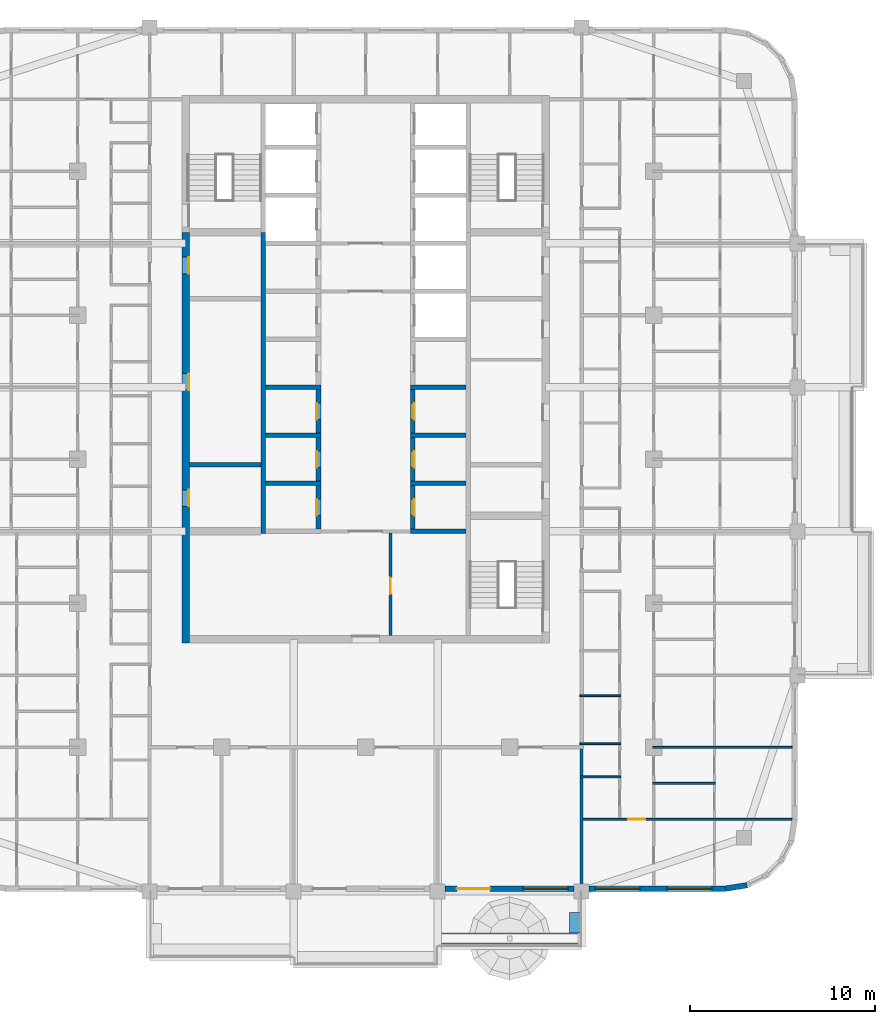
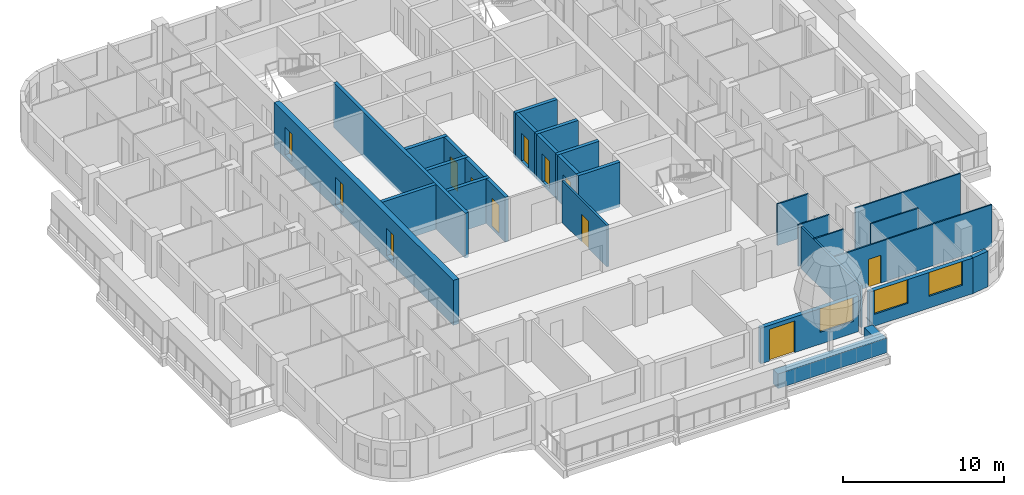
# One storey, part 5 of 17: 29 walls, 12 doors, 3 windows, 15 openings.
"""IFC4 building model written with IfcOpenShell, lengths in metres."""

from ifc_helpers import new_model, si_unit, direction, frame, frame_2d, origin, place, context, subcontext, project, spatial, rectangle, extrude, material, layer, layer_set, type_object, element, fill, save


model = new_model("IFC4")

# Units and contexts
model_context = context("Model", 3, precision=1e-05, world=origin(), true_north=direction((0.0, 1.0)))
body_context = subcontext(model_context, "Body", "Model", "MODEL_VIEW")
ifc_project = project(units=[si_unit("LENGTHUNIT", "METRE"), si_unit("AREAUNIT", "SQUARE_METRE"), si_unit("VOLUMEUNIT", "CUBIC_METRE"), si_unit("PLANEANGLEUNIT", "RADIAN"), si_unit("MASSUNIT", "GRAM", prefix="KILO")], contexts=[model_context])

# Site, building, storey
site_placement = place(None, origin())
site = spatial("IfcSite", under=ifc_project, at=site_placement, CompositionType="ELEMENT")
building_placement = place(site_placement, origin())
building = spatial("IfcBuilding", under=site, at=building_placement, Name="Ludao Terraces", CompositionType="ELEMENT")
storey_placement = place(building_placement, frame((0.0, 0.0, 210.89990234375)))
storey = spatial("IfcBuildingStorey", under=building, at=storey_placement, Name="L57", CompositionType="ELEMENT", Elevation=210.89990234375)

# Wall, openings, doors
ifc_material_1 = material(Name="Concrete C50", Category="concrete")
ifc_layer_1 = layer(ifc_material_1, 0.39990234375)
ifc_layer_set_1 = layer_set([ifc_layer_1], Name="Core wall 400 C50")
wall_type_1 = type_object("IfcWallType", Name="Core wall 400 C50", PredefinedType="SOLIDWALL", material=ifc_layer_set_1)
wall_1_placement = place(storey_placement, frame((75.25, 55.050048828125, -0.25), z_axis=(0.0, 0.0, 1.0), x_axis=(0.0, 1.0, 0.0)))
wall_1 = element("IfcWall", 1, at=wall_1_placement, inside=storey, type_object=wall_type_1, Name="Core wall L57 outer-W", PredefinedType="SOLIDWALL", context=body_context, shape_type="SweptSolid", body=[
    extrude(rectangle(XDim=22.25, YDim=0.39990234375, at=frame_2d((11.125, 0.0))), origin(), (0.0, 0.0, 1.0), 3.400146484375),
])
opening_1_placement = place(wall_1_placement, frame((7.39990234375, 0.0, 0.25)))
opening_1 = element("IfcOpeningElement", 2, at=opening_1_placement, cuts=wall_1, Name="Opening R20-055", PredefinedType="OPENING", context=body_context, shape_type="SweptSolid", body=[
    extrude(rectangle(XDim=0.89990234375, YDim=2.10009765625, at=frame_2d((0.449951171875, 1.050048828125))), frame((0.0, 0.2099609375, 0.0), z_axis=(0.0, -1.0, 0.0), x_axis=(1.0, 0.0, 0.0)), (0.0, 0.0, 1.0), 0.419921875),
])
opening_2_placement = place(wall_1_placement, frame((13.699951171875, 0.0, 0.25)))
opening_2 = element("IfcOpeningElement", 3, at=opening_2_placement, cuts=wall_1, Name="Opening R20-075", PredefinedType="OPENING", context=body_context, shape_type="SweptSolid", body=[
    extrude(rectangle(XDim=0.89990234375, YDim=2.10009765625, at=frame_2d((0.449951171875, 1.050048828125))), frame((0.0, 0.2099609375, 0.0), z_axis=(0.0, -1.0, 0.0), x_axis=(1.0, 0.0, 0.0)), (0.0, 0.0, 1.0), 0.419921875),
])
opening_3_placement = place(wall_1_placement, frame((20.0, 0.0, 0.25)))
opening_3 = element("IfcOpeningElement", 4, at=opening_3_placement, cuts=wall_1, Name="Opening R20-096", PredefinedType="OPENING", context=body_context, shape_type="SweptSolid", body=[
    extrude(rectangle(XDim=0.89990234375, YDim=2.10009765625, at=frame_2d((0.449951171875, 1.050048828125))), frame((0.0, 0.2099609375, 0.0), z_axis=(0.0, -1.0, 0.0), x_axis=(1.0, 0.0, 0.0)), (0.0, 0.0, 1.0), 0.419921875),
])
ifc_material_2 = material(Name="Steel Q235", Category="steel")
door_type_1 = type_object("IfcDoorType", Name="INT Riser door 900", OperationType="SINGLE_SWING_LEFT", PredefinedType="DOOR", material=ifc_material_2)
door_1_placement = place(opening_1_placement, origin())
door_1 = element("IfcDoor", 5, at=door_1_placement, inside=storey, type_object=door_type_1, Name="DOOR 055", OperationType="SINGLE_SWING_RIGHT", OverallHeight=2.10009765625, OverallWidth=0.89990234375, PredefinedType="DOOR", context=body_context, shape_type="SweptSolid", body=[
    extrude(rectangle(XDim=0.89990234375, YDim=2.10009765625, at=frame_2d((0.449951171875, 1.050048828125))), frame((0.0, -0.134765625, 0.0), z_axis=(0.0, -1.0, 0.0), x_axis=(1.0, 0.0, 0.0)), (0.0, 0.0, 1.0), 0.050048828125),
])
fill(opening_1, door_1)
door_2_placement = place(opening_3_placement, origin())
door_2 = element("IfcDoor", 6, at=door_2_placement, inside=storey, type_object=door_type_1, Name="DOOR 096", OperationType="SINGLE_SWING_LEFT", OverallHeight=2.10009765625, OverallWidth=0.89990234375, PredefinedType="DOOR", context=body_context, shape_type="SweptSolid", body=[
    extrude(rectangle(XDim=0.89990234375, YDim=2.10009765625, at=frame_2d((0.449951171875, 1.050048828125))), frame((0.0, -0.134765625, 0.0), z_axis=(0.0, -1.0, 0.0), x_axis=(1.0, 0.0, 0.0)), (0.0, 0.0, 1.0), 0.050048828125),
])
fill(opening_3, door_2)
ifc_material_3 = material(Name="Timber door leaf", Category="wood")
door_type_2 = type_object("IfcDoorType", Name="INT Room door 900", OperationType="SINGLE_SWING_LEFT", PredefinedType="DOOR", material=ifc_material_3)
door_3_placement = place(opening_2_placement, origin())
door_3 = element("IfcDoor", 7, at=door_3_placement, inside=storey, type_object=door_type_2, Name="DOOR 075", OperationType="SINGLE_SWING_RIGHT", OverallHeight=2.10009765625, OverallWidth=0.89990234375, PredefinedType="DOOR", context=body_context, shape_type="SweptSolid", body=[
    extrude(rectangle(XDim=0.89990234375, YDim=2.10009765625, at=frame_2d((0.449951171875, 1.050048828125))), frame((0.0, -0.134765625, 0.0), z_axis=(0.0, -1.0, 0.0), x_axis=(1.0, 0.0, 0.0)), (0.0, 0.0, 1.0), 0.050048828125),
])
fill(opening_2, door_3)

# Walls
ifc_material_4 = material(Name="Concrete C40", Category="concrete")
ifc_layer_2 = layer(ifc_material_4, 0.60009765625)
ifc_layer_set_2 = layer_set([ifc_layer_2], Name="ENV Planter trough 600")
wall_type_2 = type_object("IfcWallType", Name="ENV Planter trough 600", PredefinedType="USERDEFINED", material=ifc_layer_set_2)
wall_2_placement = place(storey_placement, frame((88.89990234375, 39.050048828125, 0.0), z_axis=(0.0, 0.0, 1.0), x_axis=(1.0, 0.0, 0.0)))
element("IfcWall", 8, at=wall_2_placement, inside=storey, type_object=wall_type_2, Name="PL-L57-S3", ObjectType="PLANTER", PredefinedType="USERDEFINED", context=body_context, shape_type="SweptSolid", body=[
    extrude(rectangle(XDim=7.800048828125, YDim=0.60009765625, at=frame_2d((3.89990234375, 0.0))), origin(), (0.0, 0.0, 1.0), 1.10009765625),
])
wall_3_placement = place(storey_placement, frame((96.35009765625, 39.35009765625, 0.0), z_axis=(0.0, 0.0, 1.0), x_axis=(0.0, 1.0, 0.0)))
element("IfcWall", 9, at=wall_3_placement, inside=storey, type_object=wall_type_2, Name="PL-L57-S3-SB", ObjectType="PLANTER", PredefinedType="USERDEFINED", context=body_context, shape_type="SweptSolid", body=[
    extrude(rectangle(XDim=1.099853515625, YDim=0.60009765625, at=frame_2d((0.5498046875, 0.0))), origin(), (0.0, 0.0, 1.0), 1.10009765625),
])

# Wall, openings, door, window
ifc_material_5 = material(Name="Granite cladding", Category="masonry")
ifc_layer_3 = layer(ifc_material_5, 0.0400390625, Category="stone")
ifc_material_6 = material(Name="Mineral wool")
ifc_layer_4 = layer(ifc_material_6, 0.06005859375)
ifc_layer_5 = layer(ifc_material_4, 0.199951171875, Category="concrete")
ifc_layer_set_3 = layer_set([ifc_layer_3, ifc_layer_4, ifc_layer_5], Name="ENV Stone-clad wall 300")
wall_type_3 = type_object("IfcWallType", Name="ENV Stone-clad wall 300", PredefinedType="SOLIDWALL", material=ifc_layer_set_3)
wall_4_placement = place(storey_placement, frame((89.300048828125, 41.75, 0.0), z_axis=(0.0, 0.0, 1.0), x_axis=(1.0, 0.0, 0.0)))
wall_4 = element("IfcWall", 10, at=wall_4_placement, inside=storey, type_object=wall_type_3, Name="EW-L57-S4", PredefinedType="SOLIDWALL", context=body_context, shape_type="SweptSolid", body=[
    extrude(rectangle(XDim=7.0, YDim=0.300048828125, at=frame_2d((3.5, 0.0))), origin(), (0.0, 0.0, 1.0), 2.7001953125),
])
opening_4_placement = place(wall_4_placement, frame((0.64990234375, 0.0, 0.0)))
opening_4 = element("IfcOpeningElement", 11, at=opening_4_placement, cuts=wall_4, Name="Opening BD", PredefinedType="OPENING", context=body_context, shape_type="SweptSolid", body=[
    extrude(rectangle(XDim=1.800048828125, YDim=2.39990234375, at=frame_2d((0.89990234375, 1.199951171875))), frame((0.0, 0.16015625, 0.0), z_axis=(0.0, -1.0, 0.0), x_axis=(1.0, 0.0, 0.0)), (0.0, 0.0, 1.0), 0.320068359375),
])
opening_5_placement = place(wall_4_placement, frame((4.25, 0.0, 0.89990234375)))
opening_5 = element("IfcOpeningElement", 12, at=opening_5_placement, cuts=wall_4, Name="Opening W1", PredefinedType="OPENING", context=body_context, shape_type="SweptSolid", body=[
    extrude(rectangle(XDim=2.39990234375, YDim=1.800048828125, at=frame_2d((1.199951171875, 0.89990234375))), frame((0.0, 0.16015625, 0.0), z_axis=(0.0, -1.0, 0.0), x_axis=(1.0, 0.0, 0.0)), (0.0, 0.0, 1.0), 0.320068359375),
])
ifc_material_7 = material(Name="Aluminium glazed door", Category="aluminium")
ifc_layer_6 = layer(ifc_material_7, 0.06005859375)
ifc_layer_set_4 = layer_set([ifc_layer_6], Name="ENV Balcony door BD 1800x2400")
door_type_3 = type_object("IfcDoorType", Name="ENV Balcony door BD 1800x2400", OperationType="DOUBLE_DOOR_SINGLE_SWING", PredefinedType="DOOR", material=ifc_layer_set_4)
door_4_placement = place(opening_4_placement, origin())
door_4 = element("IfcDoor", 13, at=door_4_placement, inside=storey, type_object=door_type_3, Name="BD-L57-S4-1", OperationType="DOUBLE_DOOR_SINGLE_SWING", OverallHeight=2.39990234375, OverallWidth=1.800048828125, PredefinedType="DOOR", context=body_context, shape_type="SweptSolid", body=[
    extrude(rectangle(XDim=1.800048828125, YDim=2.39990234375, at=frame_2d((0.89990234375, 1.199951171875))), frame((0.0, 0.02490234375, 0.0), z_axis=(0.0, -1.0, 0.0), x_axis=(1.0, 0.0, 0.0)), (0.0, 0.0, 1.0), 0.050048828125),
])
fill(opening_4, door_4)
ifc_material_8 = material(Name="Clear glass in aluminium frame", Category="aluminium")
ifc_layer_7 = layer(ifc_material_8, 0.06005859375)
ifc_layer_set_5 = layer_set([ifc_layer_7], Name="ENV Window W1 2400x1800")
window_type = type_object("IfcWindowType", Name="ENV Window W1 2400x1800", PartitioningType="DOUBLE_PANEL_VERTICAL", PredefinedType="WINDOW", material=ifc_layer_set_5)
window_1_placement = place(opening_5_placement, origin())
window_1 = element("IfcWindow", 14, at=window_1_placement, inside=storey, type_object=window_type, Name="W-L57-S4-2", OverallHeight=1.800048828125, OverallWidth=2.39990234375, PartitioningType="DOUBLE_PANEL_VERTICAL", PredefinedType="WINDOW", context=body_context, shape_type="SweptSolid", body=[
    extrude(rectangle(XDim=2.39990234375, YDim=1.800048828125, at=frame_2d((1.199951171875, 0.89990234375))), frame((0.0, 0.030029296875, 0.0), z_axis=(0.0, -1.0, 0.0), x_axis=(1.0, 0.0, 0.0)), (0.0, 0.0, 1.0), 0.06005859375),
])
fill(opening_5, window_1)

# Wall, openings, windows
wall_5_placement = place(storey_placement, frame((97.10009765625, 41.75, 0.0), z_axis=(0.0, 0.0, 1.0), x_axis=(1.0, 0.0, 0.0)))
wall_5 = element("IfcWall", 15, at=wall_5_placement, inside=storey, type_object=wall_type_3, Name="EW-L57-S5", PredefinedType="SOLIDWALL", context=body_context, shape_type="SweptSolid", body=[
    extrude(rectangle(XDim=7.39990234375, YDim=0.300048828125, at=frame_2d((3.699951171875, 0.0))), origin(), (0.0, 0.0, 1.0), 2.7001953125),
])
opening_6_placement = place(wall_5_placement, frame((0.35009765625, 0.0, 0.89990234375)))
opening_6 = element("IfcOpeningElement", 16, at=opening_6_placement, cuts=wall_5, Name="Opening W1", PredefinedType="OPENING", context=body_context, shape_type="SweptSolid", body=[
    extrude(rectangle(XDim=2.39990234375, YDim=1.800048828125, at=frame_2d((1.199951171875, 0.89990234375))), frame((0.0, 0.16015625, 0.0), z_axis=(0.0, -1.0, 0.0), x_axis=(1.0, 0.0, 0.0)), (0.0, 0.0, 1.0), 0.320068359375),
])
opening_7_placement = place(wall_5_placement, frame((4.25, 0.0, 0.89990234375)))
opening_7 = element("IfcOpeningElement", 17, at=opening_7_placement, cuts=wall_5, Name="Opening W1", PredefinedType="OPENING", context=body_context, shape_type="SweptSolid", body=[
    extrude(rectangle(XDim=2.39990234375, YDim=1.800048828125, at=frame_2d((1.199951171875, 0.89990234375))), frame((0.0, 0.16015625, 0.0), z_axis=(0.0, -1.0, 0.0), x_axis=(1.0, 0.0, 0.0)), (0.0, 0.0, 1.0), 0.320068359375),
])
window_2_placement = place(opening_6_placement, origin())
window_2 = element("IfcWindow", 18, at=window_2_placement, inside=storey, type_object=window_type, Name="W-L57-S5-1", OverallHeight=1.800048828125, OverallWidth=2.39990234375, PartitioningType="DOUBLE_PANEL_VERTICAL", PredefinedType="WINDOW", context=body_context, shape_type="SweptSolid", body=[
    extrude(rectangle(XDim=2.39990234375, YDim=1.800048828125, at=frame_2d((1.199951171875, 0.89990234375))), frame((0.0, 0.030029296875, 0.0), z_axis=(0.0, -1.0, 0.0), x_axis=(1.0, 0.0, 0.0)), (0.0, 0.0, 1.0), 0.06005859375),
])
fill(opening_6, window_2)
window_3_placement = place(opening_7_placement, origin())
window_3 = element("IfcWindow", 19, at=window_3_placement, inside=storey, type_object=window_type, Name="W-L57-S5-2", OverallHeight=1.800048828125, OverallWidth=2.39990234375, PartitioningType="DOUBLE_PANEL_VERTICAL", PredefinedType="WINDOW", context=body_context, shape_type="SweptSolid", body=[
    extrude(rectangle(XDim=2.39990234375, YDim=1.800048828125, at=frame_2d((1.199951171875, 0.89990234375))), frame((0.0, 0.030029296875, 0.0), z_axis=(0.0, -1.0, 0.0), x_axis=(1.0, 0.0, 0.0)), (0.0, 0.0, 1.0), 0.06005859375),
])
fill(opening_7, window_3)

# Wall
wall_6_placement = place(storey_placement, frame((104.5, 41.75, 0.0), z_axis=(0.0, 0.0, 1.0), x_axis=(0.987678452879, 0.156496880861, 0.0)))
element("IfcWall", 20, at=wall_6_placement, inside=storey, type_object=wall_type_3, Name="EW-L57-SE1", PredefinedType="SOLIDWALL", context=body_context, shape_type="SweptSolid", body=[
    extrude(rectangle(XDim=1.173095703125, YDim=0.300048828125, at=frame_2d((0.58642578125, 0.0))), origin(), (0.0, 0.0, 1.0), 2.7001953125),
])

# Wall, opening, door
ifc_material_9 = material(Name="Fire-rated gypsum plasterboard", Category="gypsum")
ifc_layer_8 = layer(ifc_material_9, 0.012451171875, Category="gypsum")
ifc_layer_9 = layer(ifc_material_6, 0.10009765625, Name="insulation")
ifc_layer_10 = layer(ifc_material_2, 0.02490234375, Name="stud")
ifc_layer_11 = layer(ifc_material_9, 0.012451171875, Category="gypsum")
ifc_layer_set_6 = layer_set([ifc_layer_8, ifc_layer_9, ifc_layer_10, ifc_layer_11], Name="INT Core partition 150")
wall_type_4 = type_object("IfcWallType", Name="INT Core partition 150", PredefinedType="PARTITIONING", material=ifc_layer_set_6)
wall_7_placement = place(storey_placement, frame((86.35009765625, 55.4501953125, 0.0), z_axis=(0.0, 0.0, 1.0), x_axis=(0.0, 1.0, 0.0)))
wall_7 = element("IfcWall", 21, at=wall_7_placement, inside=storey, type_object=wall_type_4, Name="PW-L57-PW085", PredefinedType="PARTITIONING", context=body_context, shape_type="SweptSolid", body=[
    extrude(rectangle(XDim=5.574951171875, YDim=0.14990234375, at=frame_2d((2.78759765625, 0.0))), origin(), (0.0, 0.0, 1.0), 3.150146484375),
])
opening_8_placement = place(wall_7_placement, frame((2.25, 0.0, 0.0)))
opening_8 = element("IfcOpeningElement", 22, at=opening_8_placement, cuts=wall_7, Name="Opening R20-039", PredefinedType="OPENING", context=body_context, shape_type="SweptSolid", body=[
    extrude(rectangle(XDim=0.89990234375, YDim=2.10009765625, at=frame_2d((0.449951171875, 1.050048828125))), frame((0.0, 0.0849609375, 0.0), z_axis=(0.0, -1.0, 0.0), x_axis=(1.0, 0.0, 0.0)), (0.0, 0.0, 1.0), 0.169921875),
])
door_5_placement = place(opening_8_placement, origin())
door_5 = element("IfcDoor", 23, at=door_5_placement, inside=storey, type_object=door_type_2, Name="DOOR 039", OperationType="SINGLE_SWING_RIGHT", OverallHeight=2.10009765625, OverallWidth=0.89990234375, PredefinedType="DOOR", context=body_context, shape_type="SweptSolid", body=[
    extrude(rectangle(XDim=0.89990234375, YDim=2.10009765625, at=frame_2d((0.449951171875, 1.050048828125))), frame((0.0, 0.02490234375, 0.0), z_axis=(0.0, -1.0, 0.0), x_axis=(1.0, 0.0, 0.0)), (0.0, 0.0, 1.0), 0.050048828125),
])
fill(opening_8, door_5)

ifc_material_10 = material(Name="Gypsum plasterboard", Category="gypsum")
ifc_layer_12 = layer(ifc_material_10, 0.012451171875, Category="gypsum")
ifc_layer_13 = layer(ifc_material_6, 0.06005859375, Name="insulation")
ifc_layer_14 = layer(ifc_material_2, 0.014892578125, Name="stud")
ifc_layer_15 = layer(ifc_material_10, 0.012451171875, Category="gypsum")
ifc_layer_set_7 = layer_set([ifc_layer_12, ifc_layer_13, ifc_layer_14, ifc_layer_15], Name="INT Partition 100")
wall_type_5 = type_object("IfcWallType", Name="INT Partition 100", PredefinedType="PARTITIONING", material=ifc_layer_set_7)
wall_8_placement = place(storey_placement, frame((96.625, 45.5, 0.0), z_axis=(0.0, 0.0, 1.0), x_axis=(1.0, 0.0, 0.0)))
wall_8 = element("IfcWall", 24, at=wall_8_placement, inside=storey, type_object=wall_type_5, Name="PW-L57-PW001", PredefinedType="PARTITIONING", context=body_context, shape_type="SweptSolid", body=[
    extrude(rectangle(XDim=11.47509765625, YDim=0.10009765625, at=frame_2d((5.737548828125, 0.0))), origin(), (0.0, 0.0, 1.0), 3.150146484375),
])
opening_9_placement = place(wall_8_placement, frame((2.610107421875, 0.0, 0.0)))
opening_9 = element("IfcOpeningElement", 25, at=opening_9_placement, cuts=wall_8, Name="Opening R20-006", PredefinedType="OPENING", context=body_context, shape_type="SweptSolid", body=[
    extrude(rectangle(XDim=0.89990234375, YDim=2.10009765625, at=frame_2d((0.449951171875, 1.050048828125))), frame((0.0, 0.06005859375, 0.0), z_axis=(0.0, -1.0, 0.0), x_axis=(1.0, 0.0, 0.0)), (0.0, 0.0, 1.0), 0.1201171875),
])
door_6_placement = place(opening_9_placement, origin())
door_6 = element("IfcDoor", 26, at=door_6_placement, inside=storey, type_object=door_type_2, Name="DOOR 006", OperationType="SINGLE_SWING_LEFT", OverallHeight=2.10009765625, OverallWidth=0.89990234375, PredefinedType="DOOR", context=body_context, shape_type="SweptSolid", body=[
    extrude(rectangle(XDim=0.89990234375, YDim=2.10009765625, at=frame_2d((0.449951171875, 1.050048828125))), frame((0.0, 0.02490234375, 0.0), z_axis=(0.0, -1.0, 0.0), x_axis=(1.0, 0.0, 0.0)), (0.0, 0.0, 1.0), 0.050048828125),
])
fill(opening_9, door_6)

# Walls
wall_9_placement = place(storey_placement, frame((100.550048828125, 47.449951171875, 0.0), z_axis=(0.0, 0.0, 1.0), x_axis=(1.0, 0.0, 0.0)))
element("IfcWall", 27, at=wall_9_placement, inside=storey, type_object=wall_type_5, Name="PW-L57-PW002", PredefinedType="PARTITIONING", context=body_context, shape_type="SweptSolid", body=[
    extrude(rectangle(XDim=3.400146484375, YDim=0.10009765625, at=frame_2d((1.7001953125, 0.0))), origin(), (0.0, 0.0, 1.0), 3.150146484375),
])
wall_10_placement = place(storey_placement, frame((96.625, 47.800048828125, 0.0), z_axis=(0.0, 0.0, 1.0), x_axis=(1.0, 0.0, 0.0)))
element("IfcWall", 28, at=wall_10_placement, inside=storey, type_object=wall_type_5, Name="PW-L57-PW003", PredefinedType="PARTITIONING", context=body_context, shape_type="SweptSolid", body=[
    extrude(rectangle(XDim=2.195068359375, YDim=0.10009765625, at=frame_2d((1.09765625, 0.0))), origin(), (0.0, 0.0, 1.0), 3.150146484375),
])
wall_11_placement = place(storey_placement, frame((100.550048828125, 49.39990234375, 0.0), z_axis=(0.0, 0.0, 1.0), x_axis=(1.0, 0.0, 0.0)))
element("IfcWall", 29, at=wall_11_placement, inside=storey, type_object=wall_type_5, Name="PW-L57-PW007", PredefinedType="PARTITIONING", context=body_context, shape_type="SweptSolid", body=[
    extrude(rectangle(XDim=7.550048828125, YDim=0.10009765625, at=frame_2d((3.77490234375, 0.0))), origin(), (0.0, 0.0, 1.0), 3.150146484375),
])
for number, where, z_axis, x_axis, name in (
    (30, (96.60009765625, 49.60009765625, 0.0), (0.0, 0.0, 1.0), (1.0, 0.0, 0.0), "PW-L57-PW008"),
    (31, (96.60009765625, 52.199951171875, 0.0), (0.0, 0.0, 1.0), (1.0, 0.0, 0.0), "PW-L57-PW011"),
):
    element("IfcWall", number, at=place(storey_placement, frame(where, z_axis=z_axis, x_axis=x_axis)), inside=storey, type_object=wall_type_5, Name=name, PredefinedType="PARTITIONING", context=body_context, shape_type="SweptSolid", body=[
        extrude(rectangle(XDim=2.219970703125, YDim=0.10009765625, at=frame_2d((1.10986328125, 0.0))), origin(), (0.0, 0.0, 1.0), 3.150146484375),
    ])
ifc_material_11 = material(Name="Autoclaved aerated concrete block B06 A3.5", Category="concrete")
ifc_layer_16 = layer(ifc_material_11, 0.14990234375)
ifc_layer_set_8 = layer_set([ifc_layer_16], Name="INT Party wall 150")
wall_type_6 = type_object("IfcWallType", Name="INT Party wall 150", PredefinedType="PARTITIONING", material=ifc_layer_set_8)
wall_12_placement = place(storey_placement, frame((96.699951171875, 41.900146484375, 0.0), z_axis=(0.0, 0.0, 1.0), x_axis=(0.0, 1.0, 0.0)))
element("IfcWall", 32, at=wall_12_placement, inside=storey, type_object=wall_type_6, Name="PW-L57-PW089", PredefinedType="PARTITIONING", context=body_context, shape_type="SweptSolid", body=[
    extrude(rectangle(XDim=7.39990234375, YDim=0.14990234375, at=frame_2d((3.699951171875, 0.0))), origin(), (0.0, 0.0, 1.0), 3.150146484375),
])
ifc_layer_17 = layer(ifc_material_1, 0.25)
ifc_layer_set_9 = layer_set([ifc_layer_17], Name="Shaft wall 250 C50")
wall_type_7 = type_object("IfcWallType", Name="Shaft wall 250 C50", PredefinedType="SOLIDWALL", material=ifc_layer_set_9)
wall_13_placement = place(storey_placement, frame((79.449951171875, 60.97509765625, -0.25), z_axis=(0.0, 0.0, 1.0), x_axis=(0.0, 1.0, 0.0)))
element("IfcWall", 33, at=wall_13_placement, inside=storey, type_object=wall_type_7, Name="Core wall L57 back-W", PredefinedType="SOLIDWALL", context=body_context, shape_type="SweptSolid", body=[
    extrude(rectangle(XDim=16.324951171875, YDim=0.25, at=frame_2d((8.16259765625, 0.0))), origin(), (0.0, 0.0, 1.0), 3.400146484375),
])

# Wall, opening, door
wall_14_placement = place(storey_placement, frame((82.449951171875, 61.22509765625, -0.25), z_axis=(0.0, 0.0, 1.0), x_axis=(0.0, 1.0, 0.0)))
wall_14 = element("IfcWall", 34, at=wall_14_placement, inside=storey, type_object=wall_type_7, Name="Core wall L57 front-W1", PredefinedType="SOLIDWALL", context=body_context, shape_type="SweptSolid", body=[
    extrude(rectangle(XDim=2.349853515625, YDim=0.25, at=frame_2d((1.1748046875, 0.0))), origin(), (0.0, 0.0, 1.0), 3.400146484375),
])
opening_10_placement = place(wall_14_placement, frame((0.72509765625, 0.0, 0.25)))
opening_10 = element("IfcOpeningElement", 35, at=opening_10_placement, cuts=wall_14, Name="Opening R20-053", PredefinedType="OPENING", context=body_context, shape_type="SweptSolid", body=[
    extrude(rectangle(XDim=0.89990234375, YDim=2.10009765625, at=frame_2d((0.449951171875, 1.050048828125))), frame((0.0, 0.135009765625, 0.0), z_axis=(0.0, -1.0, 0.0), x_axis=(1.0, 0.0, 0.0)), (0.0, 0.0, 1.0), 0.27001953125),
])
door_7_placement = place(opening_10_placement, origin())
door_7 = element("IfcDoor", 36, at=door_7_placement, inside=storey, type_object=door_type_2, Name="DOOR 053", OperationType="SINGLE_SWING_LEFT", OverallHeight=2.10009765625, OverallWidth=0.89990234375, PredefinedType="DOOR", context=body_context, shape_type="SweptSolid", body=[
    extrude(rectangle(XDim=0.89990234375, YDim=2.10009765625, at=frame_2d((0.449951171875, 1.050048828125))), frame((0.0, 0.10986328125, 0.0), z_axis=(0.0, -1.0, 0.0), x_axis=(1.0, 0.0, 0.0)), (0.0, 0.0, 1.0), 0.050048828125),
])
fill(opening_10, door_7)

# Wall
wall_15_placement = place(storey_placement, frame((79.574951171875, 63.699951171875, -0.25), z_axis=(0.0, 0.0, 1.0), x_axis=(1.0, 0.0, 0.0)))
element("IfcWall", 37, at=wall_15_placement, inside=storey, type_object=wall_type_7, Name="Core wall L57 div-W2", PredefinedType="SOLIDWALL", context=body_context, shape_type="SweptSolid", body=[
    extrude(rectangle(XDim=3.0, YDim=0.25, at=frame_2d((1.5, 0.0))), origin(), (0.0, 0.0, 1.0), 3.400146484375),
])

# Wall, opening, door
wall_16_placement = place(storey_placement, frame((82.449951171875, 63.824951171875, -0.25), z_axis=(0.0, 0.0, 1.0), x_axis=(0.0, 1.0, 0.0)))
wall_16 = element("IfcWall", 38, at=wall_16_placement, inside=storey, type_object=wall_type_7, Name="Core wall L57 front-W2", PredefinedType="SOLIDWALL", context=body_context, shape_type="SweptSolid", body=[
    extrude(rectangle(XDim=2.35009765625, YDim=0.25, at=frame_2d((1.175048828125, 0.0))), origin(), (0.0, 0.0, 1.0), 3.400146484375),
])
opening_11_placement = place(wall_16_placement, frame((0.72509765625, 0.0, 0.25)))
opening_11 = element("IfcOpeningElement", 39, at=opening_11_placement, cuts=wall_16, Name="Opening R20-063", PredefinedType="OPENING", context=body_context, shape_type="SweptSolid", body=[
    extrude(rectangle(XDim=0.89990234375, YDim=2.10009765625, at=frame_2d((0.449951171875, 1.050048828125))), frame((0.0, 0.135009765625, 0.0), z_axis=(0.0, -1.0, 0.0), x_axis=(1.0, 0.0, 0.0)), (0.0, 0.0, 1.0), 0.27001953125),
])
door_8_placement = place(opening_11_placement, origin())
door_8 = element("IfcDoor", 40, at=door_8_placement, inside=storey, type_object=door_type_2, Name="DOOR 063", OperationType="SINGLE_SWING_LEFT", OverallHeight=2.10009765625, OverallWidth=0.89990234375, PredefinedType="DOOR", context=body_context, shape_type="SweptSolid", body=[
    extrude(rectangle(XDim=0.89990234375, YDim=2.10009765625, at=frame_2d((0.449951171875, 1.050048828125))), frame((0.0, 0.10986328125, 0.0), z_axis=(0.0, -1.0, 0.0), x_axis=(1.0, 0.0, 0.0)), (0.0, 0.0, 1.0), 0.050048828125),
])
fill(opening_11, door_8)

# Wall
wall_17_placement = place(storey_placement, frame((79.574951171875, 66.300048828125, -0.25), z_axis=(0.0, 0.0, 1.0), x_axis=(1.0, 0.0, 0.0)))
element("IfcWall", 41, at=wall_17_placement, inside=storey, type_object=wall_type_7, Name="Core wall L57 div-W3", PredefinedType="SOLIDWALL", context=body_context, shape_type="SweptSolid", body=[
    extrude(rectangle(XDim=3.0, YDim=0.25, at=frame_2d((1.5, 0.0))), origin(), (0.0, 0.0, 1.0), 3.400146484375),
])

# Wall, opening, door
wall_18_placement = place(storey_placement, frame((82.449951171875, 66.425048828125, -0.25), z_axis=(0.0, 0.0, 1.0), x_axis=(0.0, 1.0, 0.0)))
wall_18 = element("IfcWall", 42, at=wall_18_placement, inside=storey, type_object=wall_type_7, Name="Core wall L57 front-W3", PredefinedType="SOLIDWALL", context=body_context, shape_type="SweptSolid", body=[
    extrude(rectangle(XDim=2.349853515625, YDim=0.25, at=frame_2d((1.1748046875, 0.0))), origin(), (0.0, 0.0, 1.0), 3.400146484375),
])
opening_12_placement = place(wall_18_placement, frame((0.72509765625, 0.0, 0.25)))
opening_12 = element("IfcOpeningElement", 43, at=opening_12_placement, cuts=wall_18, Name="Opening R20-072", PredefinedType="OPENING", context=body_context, shape_type="SweptSolid", body=[
    extrude(rectangle(XDim=0.89990234375, YDim=2.10009765625, at=frame_2d((0.449951171875, 1.050048828125))), frame((0.0, 0.135009765625, 0.0), z_axis=(0.0, -1.0, 0.0), x_axis=(1.0, 0.0, 0.0)), (0.0, 0.0, 1.0), 0.27001953125),
])
door_9_placement = place(opening_12_placement, origin())
door_9 = element("IfcDoor", 44, at=door_9_placement, inside=storey, type_object=door_type_2, Name="DOOR 072", OperationType="SINGLE_SWING_LEFT", OverallHeight=2.10009765625, OverallWidth=0.89990234375, PredefinedType="DOOR", context=body_context, shape_type="SweptSolid", body=[
    extrude(rectangle(XDim=0.89990234375, YDim=2.10009765625, at=frame_2d((0.449951171875, 1.050048828125))), frame((0.0, 0.10986328125, 0.0), z_axis=(0.0, -1.0, 0.0), x_axis=(1.0, 0.0, 0.0)), (0.0, 0.0, 1.0), 0.050048828125),
])
fill(opening_12, door_9)

# Walls
for number, where, z_axis, x_axis, name in (
    (45, (79.574951171875, 68.89990234375, -0.25), (0.0, 0.0, 1.0), (1.0, 0.0, 0.0), "Core wall L57 div-W4"),
    (46, (87.425048828125, 61.10009765625, -0.25), (0.0, 0.0, 1.0), (1.0, 0.0, 0.0), "Core wall L57 div-E1"),
):
    element("IfcWall", number, at=place(storey_placement, frame(where, z_axis=z_axis, x_axis=x_axis)), inside=storey, type_object=wall_type_7, Name=name, PredefinedType="SOLIDWALL", context=body_context, shape_type="SweptSolid", body=[
        extrude(rectangle(XDim=3.0, YDim=0.25, at=frame_2d((1.5, 0.0))), origin(), (0.0, 0.0, 1.0), 3.400146484375),
    ])

# Wall, opening, door
wall_19_placement = place(storey_placement, frame((87.550048828125, 61.22509765625, -0.25), z_axis=(0.0, 0.0, 1.0), x_axis=(0.0, 1.0, 0.0)))
wall_19 = element("IfcWall", 47, at=wall_19_placement, inside=storey, type_object=wall_type_7, Name="Core wall L57 front-E1", PredefinedType="SOLIDWALL", context=body_context, shape_type="SweptSolid", body=[
    extrude(rectangle(XDim=2.349853515625, YDim=0.25, at=frame_2d((1.1748046875, 0.0))), origin(), (0.0, 0.0, 1.0), 3.400146484375),
])
opening_13_placement = place(wall_19_placement, frame((0.72509765625, 0.0, 0.25)))
opening_13 = element("IfcOpeningElement", 48, at=opening_13_placement, cuts=wall_19, Name="Opening R20-054", PredefinedType="OPENING", context=body_context, shape_type="SweptSolid", body=[
    extrude(rectangle(XDim=0.89990234375, YDim=2.10009765625, at=frame_2d((0.449951171875, 1.050048828125))), frame((0.0, 0.135009765625, 0.0), z_axis=(0.0, -1.0, 0.0), x_axis=(1.0, 0.0, 0.0)), (0.0, 0.0, 1.0), 0.27001953125),
])
door_10_placement = place(opening_13_placement, origin())
door_10 = element("IfcDoor", 49, at=door_10_placement, inside=storey, type_object=door_type_2, Name="DOOR 054", OperationType="SINGLE_SWING_RIGHT", OverallHeight=2.10009765625, OverallWidth=0.89990234375, PredefinedType="DOOR", context=body_context, shape_type="SweptSolid", body=[
    extrude(rectangle(XDim=0.89990234375, YDim=2.10009765625, at=frame_2d((0.449951171875, 1.050048828125))), frame((0.0, -0.06005859375, 0.0), z_axis=(0.0, -1.0, 0.0), x_axis=(1.0, 0.0, 0.0)), (0.0, 0.0, 1.0), 0.050048828125),
])
fill(opening_13, door_10)

# Wall
wall_20_placement = place(storey_placement, frame((87.425048828125, 63.699951171875, -0.25), z_axis=(0.0, 0.0, 1.0), x_axis=(1.0, 0.0, 0.0)))
element("IfcWall", 50, at=wall_20_placement, inside=storey, type_object=wall_type_7, Name="Core wall L57 div-E2", PredefinedType="SOLIDWALL", context=body_context, shape_type="SweptSolid", body=[
    extrude(rectangle(XDim=3.0, YDim=0.25, at=frame_2d((1.5, 0.0))), origin(), (0.0, 0.0, 1.0), 3.400146484375),
])

# Wall, opening, door
wall_21_placement = place(storey_placement, frame((87.550048828125, 63.824951171875, -0.25), z_axis=(0.0, 0.0, 1.0), x_axis=(0.0, 1.0, 0.0)))
wall_21 = element("IfcWall", 51, at=wall_21_placement, inside=storey, type_object=wall_type_7, Name="Core wall L57 front-E2", PredefinedType="SOLIDWALL", context=body_context, shape_type="SweptSolid", body=[
    extrude(rectangle(XDim=2.35009765625, YDim=0.25, at=frame_2d((1.175048828125, 0.0))), origin(), (0.0, 0.0, 1.0), 3.400146484375),
])
opening_14_placement = place(wall_21_placement, frame((0.72509765625, 0.0, 0.25)))
opening_14 = element("IfcOpeningElement", 52, at=opening_14_placement, cuts=wall_21, Name="Opening R20-064", PredefinedType="OPENING", context=body_context, shape_type="SweptSolid", body=[
    extrude(rectangle(XDim=0.89990234375, YDim=2.10009765625, at=frame_2d((0.449951171875, 1.050048828125))), frame((0.0, 0.135009765625, 0.0), z_axis=(0.0, -1.0, 0.0), x_axis=(1.0, 0.0, 0.0)), (0.0, 0.0, 1.0), 0.27001953125),
])
door_11_placement = place(opening_14_placement, origin())
door_11 = element("IfcDoor", 53, at=door_11_placement, inside=storey, type_object=door_type_2, Name="DOOR 064", OperationType="SINGLE_SWING_RIGHT", OverallHeight=2.10009765625, OverallWidth=0.89990234375, PredefinedType="DOOR", context=body_context, shape_type="SweptSolid", body=[
    extrude(rectangle(XDim=0.89990234375, YDim=2.10009765625, at=frame_2d((0.449951171875, 1.050048828125))), frame((0.0, -0.06005859375, 0.0), z_axis=(0.0, -1.0, 0.0), x_axis=(1.0, 0.0, 0.0)), (0.0, 0.0, 1.0), 0.050048828125),
])
fill(opening_14, door_11)

# Wall
wall_22_placement = place(storey_placement, frame((87.425048828125, 66.300048828125, -0.25), z_axis=(0.0, 0.0, 1.0), x_axis=(1.0, 0.0, 0.0)))
element("IfcWall", 54, at=wall_22_placement, inside=storey, type_object=wall_type_7, Name="Core wall L57 div-E3", PredefinedType="SOLIDWALL", context=body_context, shape_type="SweptSolid", body=[
    extrude(rectangle(XDim=3.0, YDim=0.25, at=frame_2d((1.5, 0.0))), origin(), (0.0, 0.0, 1.0), 3.400146484375),
])

# Wall, opening, door
wall_23_placement = place(storey_placement, frame((87.550048828125, 66.425048828125, -0.25), z_axis=(0.0, 0.0, 1.0), x_axis=(0.0, 1.0, 0.0)))
wall_23 = element("IfcWall", 55, at=wall_23_placement, inside=storey, type_object=wall_type_7, Name="Core wall L57 front-E3", PredefinedType="SOLIDWALL", context=body_context, shape_type="SweptSolid", body=[
    extrude(rectangle(XDim=2.349853515625, YDim=0.25, at=frame_2d((1.1748046875, 0.0))), origin(), (0.0, 0.0, 1.0), 3.400146484375),
])
opening_15_placement = place(wall_23_placement, frame((0.72509765625, 0.0, 0.25)))
opening_15 = element("IfcOpeningElement", 56, at=opening_15_placement, cuts=wall_23, Name="Opening R20-073", PredefinedType="OPENING", context=body_context, shape_type="SweptSolid", body=[
    extrude(rectangle(XDim=0.89990234375, YDim=2.10009765625, at=frame_2d((0.449951171875, 1.050048828125))), frame((0.0, 0.135009765625, 0.0), z_axis=(0.0, -1.0, 0.0), x_axis=(1.0, 0.0, 0.0)), (0.0, 0.0, 1.0), 0.27001953125),
])
door_12_placement = place(opening_15_placement, origin())
door_12 = element("IfcDoor", 57, at=door_12_placement, inside=storey, type_object=door_type_2, Name="DOOR 073", OperationType="SINGLE_SWING_RIGHT", OverallHeight=2.10009765625, OverallWidth=0.89990234375, PredefinedType="DOOR", context=body_context, shape_type="SweptSolid", body=[
    extrude(rectangle(XDim=0.89990234375, YDim=2.10009765625, at=frame_2d((0.449951171875, 1.050048828125))), frame((0.0, -0.06005859375, 0.0), z_axis=(0.0, -1.0, 0.0), x_axis=(1.0, 0.0, 0.0)), (0.0, 0.0, 1.0), 0.050048828125),
])
fill(opening_15, door_12)

# Walls
wall_24_placement = place(storey_placement, frame((87.425048828125, 68.89990234375, -0.25), z_axis=(0.0, 0.0, 1.0), x_axis=(1.0, 0.0, 0.0)))
element("IfcWall", 58, at=wall_24_placement, inside=storey, type_object=wall_type_7, Name="Core wall L57 div-E4", PredefinedType="SOLIDWALL", context=body_context, shape_type="SweptSolid", body=[
    extrude(rectangle(XDim=3.0, YDim=0.25, at=frame_2d((1.5, 0.0))), origin(), (0.0, 0.0, 1.0), 3.400146484375),
])
wall_25_placement = place(storey_placement, frame((75.449951171875, 64.699951171875, -0.25), z_axis=(0.0, 0.0, 1.0), x_axis=(1.0, 0.0, 0.0)))
element("IfcWall", 59, at=wall_25_placement, inside=storey, type_object=wall_type_7, Name="Core wall L57 riser-a-W", PredefinedType="SOLIDWALL", context=body_context, shape_type="SweptSolid", body=[
    extrude(rectangle(XDim=3.875, YDim=0.25, at=frame_2d((1.9375, 0.0))), origin(), (0.0, 0.0, 1.0), 3.400146484375),
])

save(model, "model.ifc")
